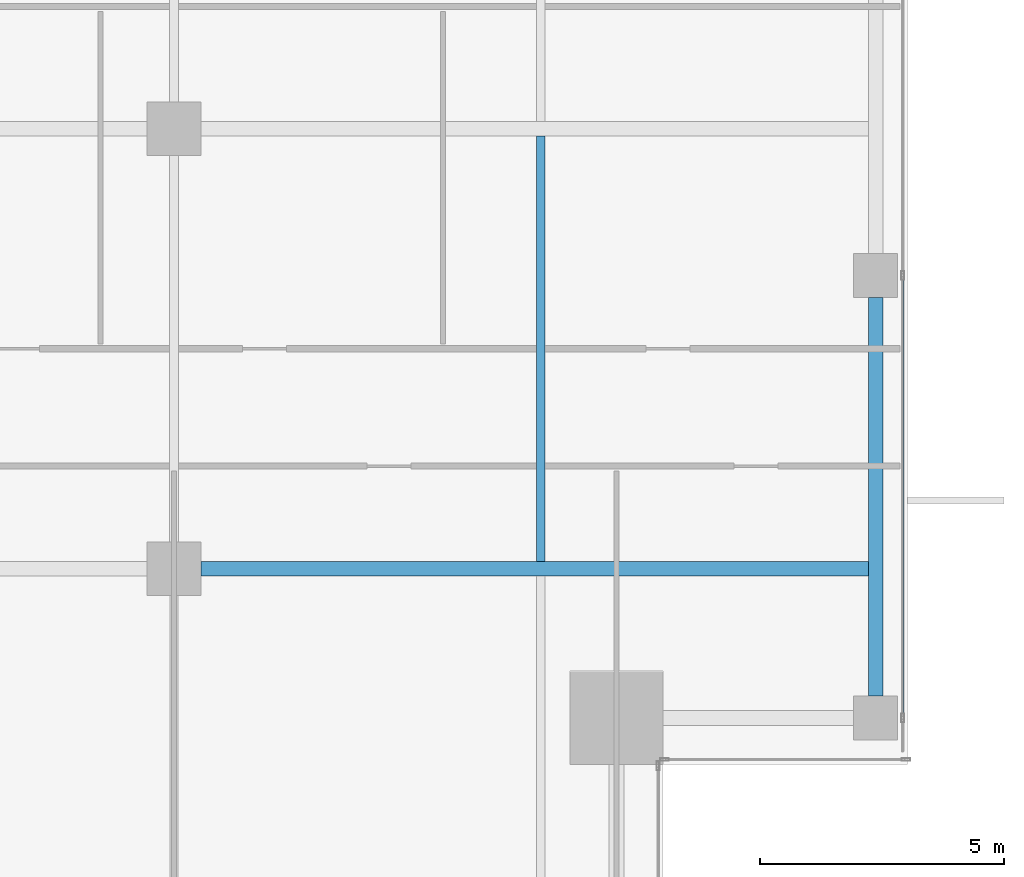
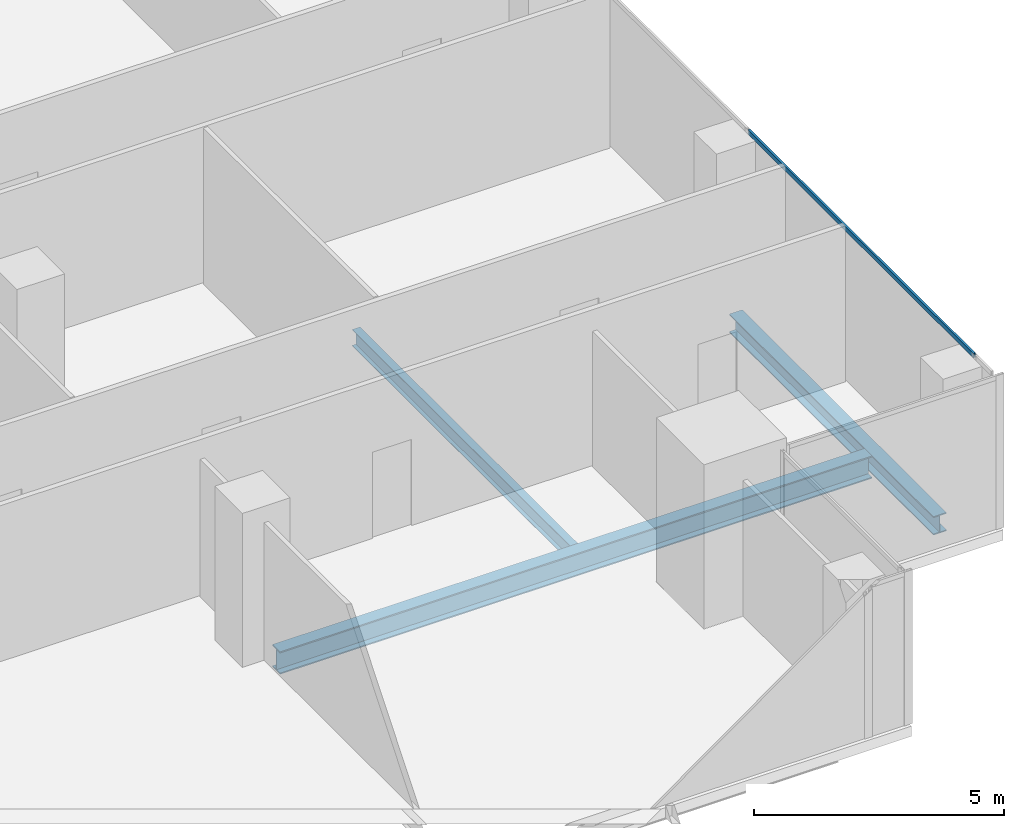
# One storey, part 11 of 34: 3 beams, 1 member, 1 element without a shape of its own.
"""IFC4 building model written with IfcOpenShell, lengths in metres."""

from ifc_helpers import new_model, si_unit, direction, frame, origin, origin_2d, place, context, subcontext, project, spatial, hollow_rectangle, i_section, extrude, source, transform, mapped, material, material_profile, profile_set, type_object, element, aggregate, save


model = new_model("IFC4")

# Units and contexts
model_context = context("Model", 3, precision=1e-05, world=origin(), true_north=direction((0.0, 1.0)))
body_context = subcontext(model_context, "Body", "Model", "MODEL_VIEW")
ifc_project = project(units=[si_unit("LENGTHUNIT", "METRE"), si_unit("AREAUNIT", "SQUARE_METRE"), si_unit("VOLUMEUNIT", "CUBIC_METRE"), si_unit("PLANEANGLEUNIT", "RADIAN"), si_unit("MASSUNIT", "GRAM", prefix="KILO")], contexts=[model_context])

# Site, building, storey
site_placement = place(None, origin())
site = spatial("IfcSite", under=ifc_project, at=site_placement, CompositionType="ELEMENT")
building_placement = place(site_placement, origin())
building = spatial("IfcBuilding", under=site, at=building_placement, Name="Khomas Fold Tower", CompositionType="ELEMENT")
storey_placement = place(building_placement, frame((0.0, 0.0, 242.199951171875)))
storey = spatial("IfcBuildingStorey", under=building, at=storey_placement, Name="L54", CompositionType="ELEMENT", Elevation=242.199951171875)

# Beams
ifc_material_1 = material(Name="Steel S355", Category="steel")
ifc_material_profile_1 = material_profile(ifc_material_1, i_section(OverallWidth=0.179931640625, OverallDepth=0.39990234375, WebThickness=0.008544921875, FlangeThickness=0.013427734375, at=origin_2d()), Name="IPE 400")
ifc_profile_set_1 = profile_set([ifc_material_profile_1], Name="Steel S355")
beam_type_1 = type_object("IfcBeamType", Name="IPE 400 beam JB3", PredefinedType="BEAM", material=ifc_profile_set_1)
shared_shape_1 = source(origin(), body_context, "Body", "SweptSolid", [
    extrude(i_section(OverallWidth=0.179931640625, OverallDepth=0.39990234375, WebThickness=0.008544921875, FlangeThickness=0.013427734375, at=origin_2d()), origin(), (0.0, 0.0, 1.0), 8.7001953125),
])
beam_1_placement = place(storey_placement, frame((42.0, 13.64990234375, -0.449951171875), z_axis=(0.0, 1.0, 0.0), x_axis=(-1.0, 0.0, 0.0)))
element("IfcBeam", 1, at=beam_1_placement, inside=storey, type_object=beam_type_1, Name="JB3", PredefinedType="BEAM", context=body_context, shape_type="MappedRepresentation", body=[
    mapped(shared_shape_1, transform((0.0, 0.0, 0.0))),
])
ifc_material_2 = material(Name="Steel S355", Category="steel")
ifc_material_profile_2 = material_profile(ifc_material_2, i_section(OverallWidth=0.300048828125, OverallDepth=0.449951171875, WebThickness=0.013916015625, FlangeThickness=0.02587890625, at=origin_2d()), Name="HE 450 B")
ifc_profile_set_2 = profile_set([ifc_material_profile_2], Name="Steel S355")
beam_type_2 = type_object("IfcBeamType", Name="HE 450 B spandrel SB4", PredefinedType="SPANDREL", material=ifc_profile_set_2)
shared_shape_2 = source(origin(), body_context, "Body", "SweptSolid", [
    extrude(i_section(OverallWidth=0.300048828125, OverallDepth=0.449951171875, WebThickness=0.013916015625, FlangeThickness=0.02587890625, at=origin_2d()), origin(), (0.0, 0.0, 1.0), 8.150146484375),
])
beam_2_placement = place(storey_placement, frame((48.85009765625, 10.89990234375, -0.474853515625), z_axis=(0.0, 1.0, 0.0), x_axis=(-1.0, 0.0, 0.0)))
element("IfcBeam", 2, at=beam_2_placement, inside=storey, type_object=beam_type_2, Name="SB4", PredefinedType="SPANDREL", context=body_context, shape_type="MappedRepresentation", body=[
    mapped(shared_shape_2, transform((0.0, 0.0, 0.0))),
])
ifc_material_3 = material(Name="Steel S355", Category="steel")
ifc_material_profile_3 = material_profile(ifc_material_3, i_section(OverallWidth=0.300048828125, OverallDepth=0.550048828125, WebThickness=0.014892578125, FlangeThickness=0.029052734375, at=origin_2d()), Name="HE 550 B")
ifc_profile_set_3 = profile_set([ifc_material_profile_3], Name="Steel S355")
beam_type_3 = type_object("IfcBeamType", Name="HE 550 B beam GB4", PredefinedType="BEAM", material=ifc_profile_set_3)
shared_shape_3 = source(origin(), body_context, "Body", "SweptSolid", [
    extrude(i_section(OverallWidth=0.300048828125, OverallDepth=0.550048828125, WebThickness=0.014892578125, FlangeThickness=0.029052734375, at=origin_2d()), origin(), (0.0, 0.0, 1.0), 13.64990234375),
])
beam_3_placement = place(storey_placement, frame((35.050048828125, 13.5, -0.52490234375), z_axis=(1.0, 0.0, 0.0), x_axis=(0.0, 1.0, 0.0)))
element("IfcBeam", 3, at=beam_3_placement, inside=storey, type_object=beam_type_3, Name="GB4", PredefinedType="BEAM", context=body_context, shape_type="MappedRepresentation", body=[
    mapped(shared_shape_3, transform((0.0, 0.0, 0.0))),
])

# Curtain wall, member
ifc_material_4 = material(Name="Aluminium framed double glazing", Category="aluminium")
curtain_wall_type = type_object("IfcCurtainWallType", Name="SK-Unitised clear-glass wall, office floors CW2", PredefinedType="NOTDEFINED", material=ifc_material_4)
curtain_wall_placement = place(storey_placement, origin())
curtain_wall = element("IfcCurtainWall", 4, at=curtain_wall_placement, inside=storey, type_object=curtain_wall_type, Name="CW2 run L54 03-0", PredefinedType="NOTDEFINED")
ifc_material_5 = material(Name="Aluminium", Category="aluminium")
ifc_material_profile_4 = material_profile(ifc_material_5, hollow_rectangle(XDim=0.050048828125, YDim=0.110107421875, WallThickness=0.00390625, at=origin_2d()), Name="SK-Unitised clear-glass wall, office floors transom CW2-T")
ifc_profile_set_4 = profile_set([ifc_material_profile_4], Name="Aluminium")
member_type = type_object("IfcMemberType", Name="SK-Unitised clear-glass wall, office floors transom CW2-T", PredefinedType="USERDEFINED", material=ifc_profile_set_4)
shared_shape_4 = source(origin(), body_context, "Body", "SweptSolid", [
    extrude(hollow_rectangle(XDim=0.050048828125, YDim=0.110107421875, WallThickness=0.00390625, at=origin_2d()), origin(), (0.0, 0.0, 1.0), 8.989990234375),
])
member_placement = place(storey_placement, frame((49.39990234375, 10.47998046875, 3.695068359375), z_axis=(0.0, 1.0, 0.0), x_axis=(-1.0, 0.0, 0.0)))
member = element("IfcMember", 5, at=member_placement, type_object=member_type, Name="CW2 transom 2", ObjectType="TRANSOM", PredefinedType="USERDEFINED", context=body_context, shape_type="MappedRepresentation", body=[
    mapped(shared_shape_4, transform((0.0, 0.0, 0.0))),
])
aggregate(curtain_wall, [member])

save(model, "model.ifc")
